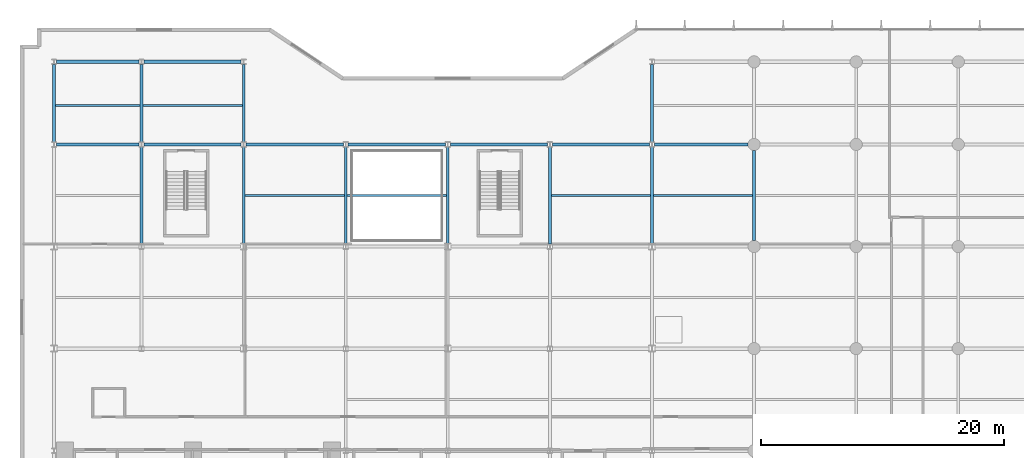
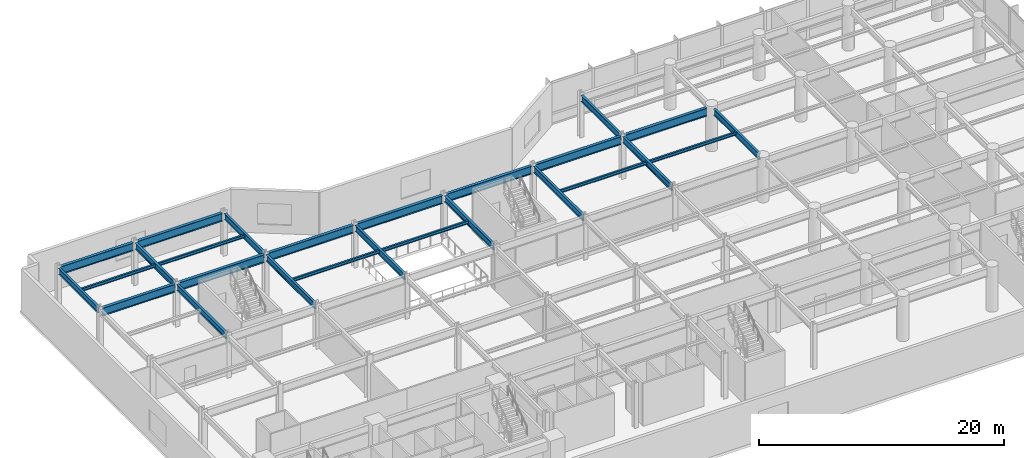
# One storey, part 4 of 26: 26 beams.
"""IFC4 building model written with IfcOpenShell, lengths in metres."""

from ifc_helpers import new_model, si_unit, direction, frame, origin, origin_2d, place, context, subcontext, project, spatial, i_section, extrude, material, material_profile, profile_set, type_object, element, save


model = new_model("IFC4")

# Units and contexts
model_context = context("Model", 3, precision=1e-05, world=origin(), true_north=direction((0.0, 1.0)))
body_context = subcontext(model_context, "Body", "Model", "MODEL_VIEW")
ifc_project = project(units=[si_unit("LENGTHUNIT", "METRE"), si_unit("AREAUNIT", "SQUARE_METRE"), si_unit("VOLUMEUNIT", "CUBIC_METRE"), si_unit("PLANEANGLEUNIT", "RADIAN"), si_unit("MASSUNIT", "GRAM", prefix="KILO")], contexts=[model_context])

# Site, building, storey
site_placement = place(None, origin())
site = spatial("IfcSite", under=ifc_project, at=site_placement, CompositionType="ELEMENT")
building_placement = place(site_placement, origin())
building = spatial("IfcBuilding", under=site, at=building_placement, Name="Varnakote Quay Hospital", CompositionType="ELEMENT")
storey_placement = place(building_placement, frame((0.0, 0.0, 4.5)))
storey = spatial("IfcBuildingStorey", under=building, at=storey_placement, Name="L01", CompositionType="ELEMENT", Elevation=4.5)

# Beams
ifc_material_1 = material(Name="Structural steel AS/NZS 3679.1 Grade 350 L0 (fy 340 MPa)", Category="steel")
ifc_material_profile_1 = material_profile(ifc_material_1, i_section(OverallWidth=0.22802734375, OverallDepth=0.60205078125, WebThickness=0.010498046875, FlangeThickness=0.014892578125, FilletRadius=0.013916015625, at=origin_2d()), Name="610UB101")
ifc_profile_set_1 = profile_set([ifc_material_profile_1], Name="Structural steel AS/NZS 3679.1 Grade 350 L0 (fy 340 MPa)")
beam_type_1 = type_object("IfcBeamType", Name="BM-STL-610UB101", PredefinedType="BEAM", material=ifc_profile_set_1)
beam_1_placement = place(storey_placement, frame((1.199951171875, 37.409912109375, 3.948974609375), z_axis=(0.0, 1.0, 0.0), x_axis=(-1.0, 0.0, 0.0)))
element("IfcBeam", 1, at=beam_1_placement, inside=storey, type_object=beam_type_1, Name="L01 Primary Tie Beam", PredefinedType="BEAM", context=body_context, shape_type="SweptSolid", body=[
    extrude(i_section(OverallWidth=0.22802734375, OverallDepth=0.60205078125, WebThickness=0.010498046875, FlangeThickness=0.014892578125, FilletRadius=0.013916015625, at=origin_2d()), origin(), (0.0, 0.0, 1.0), 6.380126953125),
])
beam_2_placement = place(storey_placement, frame((8.39990234375, 29.010009765625, 3.948974609375), z_axis=(0.0, 1.0, 0.0), x_axis=(-1.0, 0.0, 0.0)))
element("IfcBeam", 2, at=beam_2_placement, inside=storey, type_object=beam_type_1, Name="L01 Primary Tie Beam", PredefinedType="BEAM", context=body_context, shape_type="SweptSolid", body=[
    extrude(i_section(OverallWidth=0.22802734375, OverallDepth=0.60205078125, WebThickness=0.010498046875, FlangeThickness=0.014892578125, FilletRadius=0.013916015625, at=origin_2d()), origin(), (0.0, 0.0, 1.0), 7.97998046875),
])
beam_3_placement = place(storey_placement, frame((8.39990234375, 37.409912109375, 3.948974609375), z_axis=(0.0, 1.0, 0.0), x_axis=(-1.0, 0.0, 0.0)))
element("IfcBeam", 3, at=beam_3_placement, inside=storey, type_object=beam_type_1, Name="L01 Primary Tie Beam", PredefinedType="BEAM", context=body_context, shape_type="SweptSolid", body=[
    extrude(i_section(OverallWidth=0.22802734375, OverallDepth=0.60205078125, WebThickness=0.010498046875, FlangeThickness=0.014892578125, FilletRadius=0.013916015625, at=origin_2d()), origin(), (0.0, 0.0, 1.0), 6.380126953125),
])
beam_4_placement = place(storey_placement, frame((16.800048828125, 29.06494140625, 3.948974609375), z_axis=(0.0, 1.0, 0.0), x_axis=(-1.0, 0.0, 0.0)))
element("IfcBeam", 4, at=beam_4_placement, inside=storey, type_object=beam_type_1, Name="L01 Primary Tie Beam", PredefinedType="BEAM", context=body_context, shape_type="SweptSolid", body=[
    extrude(i_section(OverallWidth=0.22802734375, OverallDepth=0.60205078125, WebThickness=0.010498046875, FlangeThickness=0.014892578125, FilletRadius=0.013916015625, at=origin_2d()), origin(), (0.0, 0.0, 1.0), 7.925048828125),
])
beam_5_placement = place(storey_placement, frame((16.800048828125, 37.409912109375, 3.948974609375), z_axis=(0.0, 1.0, 0.0), x_axis=(-1.0, 0.0, 0.0)))
element("IfcBeam", 5, at=beam_5_placement, inside=storey, type_object=beam_type_1, Name="L01 Primary Tie Beam", PredefinedType="BEAM", context=body_context, shape_type="SweptSolid", body=[
    extrude(i_section(OverallWidth=0.22802734375, OverallDepth=0.60205078125, WebThickness=0.010498046875, FlangeThickness=0.014892578125, FilletRadius=0.013916015625, at=origin_2d()), origin(), (0.0, 0.0, 1.0), 6.380126953125),
])
beam_6_placement = place(storey_placement, frame((25.199951171875, 29.010009765625, 3.948974609375), z_axis=(0.0, 1.0, 0.0), x_axis=(-1.0, 0.0, 0.0)))
element("IfcBeam", 6, at=beam_6_placement, inside=storey, type_object=beam_type_1, Name="L01 Primary Tie Beam", PredefinedType="BEAM", context=body_context, shape_type="SweptSolid", body=[
    extrude(i_section(OverallWidth=0.22802734375, OverallDepth=0.60205078125, WebThickness=0.010498046875, FlangeThickness=0.014892578125, FilletRadius=0.013916015625, at=origin_2d()), origin(), (0.0, 0.0, 1.0), 7.97998046875),
])
beam_7_placement = place(storey_placement, frame((33.60009765625, 29.06494140625, 3.948974609375), z_axis=(0.0, 1.0, 0.0), x_axis=(-1.0, 0.0, 0.0)))
element("IfcBeam", 7, at=beam_7_placement, inside=storey, type_object=beam_type_1, Name="L01 Primary Tie Beam", PredefinedType="BEAM", context=body_context, shape_type="SweptSolid", body=[
    extrude(i_section(OverallWidth=0.22802734375, OverallDepth=0.60205078125, WebThickness=0.010498046875, FlangeThickness=0.014892578125, FilletRadius=0.013916015625, at=origin_2d()), origin(), (0.0, 0.0, 1.0), 7.925048828125),
])
beam_8_placement = place(storey_placement, frame((42.0, 29.010009765625, 3.948974609375), z_axis=(0.0, 1.0, 0.0), x_axis=(-1.0, 0.0, 0.0)))
element("IfcBeam", 8, at=beam_8_placement, inside=storey, type_object=beam_type_1, Name="L01 Primary Tie Beam", PredefinedType="BEAM", context=body_context, shape_type="SweptSolid", body=[
    extrude(i_section(OverallWidth=0.22802734375, OverallDepth=0.60205078125, WebThickness=0.010498046875, FlangeThickness=0.014892578125, FilletRadius=0.013916015625, at=origin_2d()), origin(), (0.0, 0.0, 1.0), 7.97998046875),
])
beam_9_placement = place(storey_placement, frame((50.39990234375, 29.06494140625, 3.948974609375), z_axis=(0.0, 1.0, 0.0), x_axis=(-1.0, 0.0, 0.0)))
element("IfcBeam", 9, at=beam_9_placement, inside=storey, type_object=beam_type_1, Name="L01 Primary Tie Beam", PredefinedType="BEAM", context=body_context, shape_type="SweptSolid", body=[
    extrude(i_section(OverallWidth=0.22802734375, OverallDepth=0.60205078125, WebThickness=0.010498046875, FlangeThickness=0.014892578125, FilletRadius=0.013916015625, at=origin_2d()), origin(), (0.0, 0.0, 1.0), 7.925048828125),
])
beam_10_placement = place(storey_placement, frame((50.39990234375, 37.409912109375, 3.948974609375), z_axis=(0.0, 1.0, 0.0), x_axis=(-1.0, 0.0, 0.0)))
element("IfcBeam", 10, at=beam_10_placement, inside=storey, type_object=beam_type_1, Name="L01 Primary Tie Beam", PredefinedType="BEAM", context=body_context, shape_type="SweptSolid", body=[
    extrude(i_section(OverallWidth=0.22802734375, OverallDepth=0.60205078125, WebThickness=0.010498046875, FlangeThickness=0.014892578125, FilletRadius=0.013916015625, at=origin_2d()), origin(), (0.0, 0.0, 1.0), 6.380126953125),
])
beam_11_placement = place(storey_placement, frame((58.800048828125, 29.300048828125, 3.948974609375), z_axis=(0.0, 1.0, 0.0), x_axis=(-1.0, 0.0, 0.0)))
element("IfcBeam", 11, at=beam_11_placement, inside=storey, type_object=beam_type_1, Name="L01 Primary Tie Beam", PredefinedType="BEAM", context=body_context, shape_type="SweptSolid", body=[
    extrude(i_section(OverallWidth=0.22802734375, OverallDepth=0.60205078125, WebThickness=0.010498046875, FlangeThickness=0.014892578125, FilletRadius=0.013916015625, at=origin_2d()), origin(), (0.0, 0.0, 1.0), 7.39990234375),
])
ifc_material_2 = material(Name="Structural steel AS/NZS 3678 Grade 350 (fy 340 MPa)", Category="steel")
ifc_material_profile_2 = material_profile(ifc_material_2, i_section(OverallWidth=0.27490234375, OverallDepth=0.800048828125, WebThickness=0.010009765625, FlangeThickness=0.02001953125, at=origin_2d()), Name="800WB146")
ifc_profile_set_2 = profile_set([ifc_material_profile_2], Name="Structural steel AS/NZS 3678 Grade 350 (fy 340 MPa)")
beam_type_2 = type_object("IfcBeamType", Name="BM-STL-800WB146", PredefinedType="BEAM", material=ifc_profile_set_2)
beam_12_placement = place(storey_placement, frame((1.39990234375, 37.199951171875, 3.85009765625), z_axis=(1.0, 0.0, 0.0), x_axis=(0.0, 1.0, 0.0)))
element("IfcBeam", 12, at=beam_12_placement, inside=storey, type_object=beam_type_2, Name="L01 Primary Floor Beam", PredefinedType="BEAM", context=body_context, shape_type="SweptSolid", body=[
    extrude(i_section(OverallWidth=0.27490234375, OverallDepth=0.800048828125, WebThickness=0.010009765625, FlangeThickness=0.02001953125, at=origin_2d()), origin(), (0.0, 0.0, 1.0), 6.800048828125),
])
for number, where, z_axis, x_axis, name in (
    (13, (8.60009765625, 37.199951171875, 3.85009765625), (1.0, 0.0, 0.0), (0.0, 1.0, 0.0), "L01 Primary Floor Beam"),
    (14, (17.0, 37.199951171875, 3.85009765625), (1.0, 0.0, 0.0), (0.0, 1.0, 0.0), "L01 Primary Floor Beam"),
    (15, (25.39990234375, 37.199951171875, 3.85009765625), (1.0, 0.0, 0.0), (0.0, 1.0, 0.0), "L01 Primary Floor Beam"),
    (16, (33.800048828125, 37.199951171875, 3.85009765625), (1.0, 0.0, 0.0), (0.0, 1.0, 0.0), "L01 Primary Floor Beam"),
    (17, (42.199951171875, 37.199951171875, 3.85009765625), (1.0, 0.0, 0.0), (0.0, 1.0, 0.0), "L01 Primary Floor Beam"),
):
    element("IfcBeam", number, at=place(storey_placement, frame(where, z_axis=z_axis, x_axis=x_axis)), inside=storey, type_object=beam_type_2, Name=name, PredefinedType="BEAM", context=body_context, shape_type="SweptSolid", body=[
        extrude(i_section(OverallWidth=0.27490234375, OverallDepth=0.800048828125, WebThickness=0.010009765625, FlangeThickness=0.02001953125, at=origin_2d()), origin(), (0.0, 0.0, 1.0), 8.0),
    ])
beam_13_placement = place(storey_placement, frame((50.60009765625, 37.199951171875, 3.85009765625), z_axis=(1.0, 0.0, 0.0), x_axis=(0.0, 1.0, 0.0)))
element("IfcBeam", 18, at=beam_13_placement, inside=storey, type_object=beam_type_2, Name="L01 Primary Floor Beam", PredefinedType="BEAM", context=body_context, shape_type="SweptSolid", body=[
    extrude(i_section(OverallWidth=0.27490234375, OverallDepth=0.800048828125, WebThickness=0.010009765625, FlangeThickness=0.02001953125, at=origin_2d()), origin(), (0.0, 0.0, 1.0), 7.699951171875),
])
beam_14_placement = place(storey_placement, frame((1.39990234375, 44.0, 3.85009765625), z_axis=(1.0, 0.0, 0.0), x_axis=(0.0, 1.0, 0.0)))
element("IfcBeam", 19, at=beam_14_placement, inside=storey, type_object=beam_type_2, Name="L01 Primary Floor Beam", PredefinedType="BEAM", context=body_context, shape_type="SweptSolid", body=[
    extrude(i_section(OverallWidth=0.27490234375, OverallDepth=0.800048828125, WebThickness=0.010009765625, FlangeThickness=0.02001953125, at=origin_2d()), origin(), (0.0, 0.0, 1.0), 6.800048828125),
])
beam_15_placement = place(storey_placement, frame((8.60009765625, 44.0, 3.85009765625), z_axis=(1.0, 0.0, 0.0), x_axis=(0.0, 1.0, 0.0)))
element("IfcBeam", 20, at=beam_15_placement, inside=storey, type_object=beam_type_2, Name="L01 Primary Floor Beam", PredefinedType="BEAM", context=body_context, shape_type="SweptSolid", body=[
    extrude(i_section(OverallWidth=0.27490234375, OverallDepth=0.800048828125, WebThickness=0.010009765625, FlangeThickness=0.02001953125, at=origin_2d()), origin(), (0.0, 0.0, 1.0), 8.0),
])
ifc_material_3 = material(Name="Structural steel AS/NZS 3679.1 Grade 350 L0 (fy 340 MPa)", Category="steel")
ifc_material_profile_3 = material_profile(ifc_material_3, i_section(OverallWidth=0.166015625, OverallDepth=0.306884765625, WebThickness=0.006591796875, FlangeThickness=0.01171875, FilletRadius=0.011474609375, at=origin_2d()), Name="310UB46.2")
ifc_profile_set_3 = profile_set([ifc_material_profile_3], Name="Structural steel AS/NZS 3679.1 Grade 350 L0 (fy 340 MPa)")
beam_type_3 = type_object("IfcBeamType", Name="JST-STL-310UB46-2", PredefinedType="JOIST", material=ifc_profile_set_3)
beam_16_placement = place(storey_placement, frame((16.9140625, 33.0, 4.096435546875), z_axis=(1.0, 0.0, 0.0), x_axis=(0.0, 1.0, 0.0)))
element("IfcBeam", 21, at=beam_16_placement, inside=storey, type_object=beam_type_3, Name="L01 Composite Floor Joist", PredefinedType="JOIST", context=body_context, shape_type="SweptSolid", body=[
    extrude(i_section(OverallWidth=0.166015625, OverallDepth=0.306884765625, WebThickness=0.006591796875, FlangeThickness=0.01171875, FilletRadius=0.011474609375, at=origin_2d()), origin(), (0.0, 0.0, 1.0), 8.171875),
])
beam_17_placement = place(storey_placement, frame((25.31396484375, 33.0, 4.096435546875), z_axis=(1.0, 0.0, 0.0), x_axis=(0.0, 1.0, 0.0)))
element("IfcBeam", 22, at=beam_17_placement, inside=storey, type_object=beam_type_3, Name="L01 Composite Floor Joist", PredefinedType="JOIST", context=body_context, shape_type="SweptSolid", body=[
    extrude(i_section(OverallWidth=0.166015625, OverallDepth=0.306884765625, WebThickness=0.006591796875, FlangeThickness=0.01171875, FilletRadius=0.011474609375, at=origin_2d()), origin(), (0.0, 0.0, 1.0), 8.172119140625),
])
beam_18_placement = place(storey_placement, frame((42.114013671875, 33.0, 4.096435546875), z_axis=(1.0, 0.0, 0.0), x_axis=(0.0, 1.0, 0.0)))
element("IfcBeam", 23, at=beam_18_placement, inside=storey, type_object=beam_type_3, Name="L01 Composite Floor Joist", PredefinedType="JOIST", context=body_context, shape_type="SweptSolid", body=[
    extrude(i_section(OverallWidth=0.166015625, OverallDepth=0.306884765625, WebThickness=0.006591796875, FlangeThickness=0.01171875, FilletRadius=0.011474609375, at=origin_2d()), origin(), (0.0, 0.0, 1.0), 8.171875),
])
beam_19_placement = place(storey_placement, frame((50.513916015625, 33.0, 4.096435546875), z_axis=(1.0, 0.0, 0.0), x_axis=(0.0, 1.0, 0.0)))
element("IfcBeam", 24, at=beam_19_placement, inside=storey, type_object=beam_type_3, Name="L01 Composite Floor Joist", PredefinedType="JOIST", context=body_context, shape_type="SweptSolid", body=[
    extrude(i_section(OverallWidth=0.166015625, OverallDepth=0.306884765625, WebThickness=0.006591796875, FlangeThickness=0.01171875, FilletRadius=0.011474609375, at=origin_2d()), origin(), (0.0, 0.0, 1.0), 8.172119140625),
])
beam_20_placement = place(storey_placement, frame((1.31396484375, 40.39990234375, 4.096435546875), z_axis=(1.0, 0.0, 0.0), x_axis=(0.0, 1.0, 0.0)))
element("IfcBeam", 25, at=beam_20_placement, inside=storey, type_object=beam_type_3, Name="L01 Composite Floor Joist", PredefinedType="JOIST", context=body_context, shape_type="SweptSolid", body=[
    extrude(i_section(OverallWidth=0.166015625, OverallDepth=0.306884765625, WebThickness=0.006591796875, FlangeThickness=0.01171875, FilletRadius=0.011474609375, at=origin_2d()), origin(), (0.0, 0.0, 1.0), 6.971923828125),
])
beam_21_placement = place(storey_placement, frame((8.513916015625, 40.39990234375, 4.096435546875), z_axis=(1.0, 0.0, 0.0), x_axis=(0.0, 1.0, 0.0)))
element("IfcBeam", 26, at=beam_21_placement, inside=storey, type_object=beam_type_3, Name="L01 Composite Floor Joist", PredefinedType="JOIST", context=body_context, shape_type="SweptSolid", body=[
    extrude(i_section(OverallWidth=0.166015625, OverallDepth=0.306884765625, WebThickness=0.006591796875, FlangeThickness=0.01171875, FilletRadius=0.011474609375, at=origin_2d()), origin(), (0.0, 0.0, 1.0), 8.172119140625),
])

save(model, "model.ifc")
